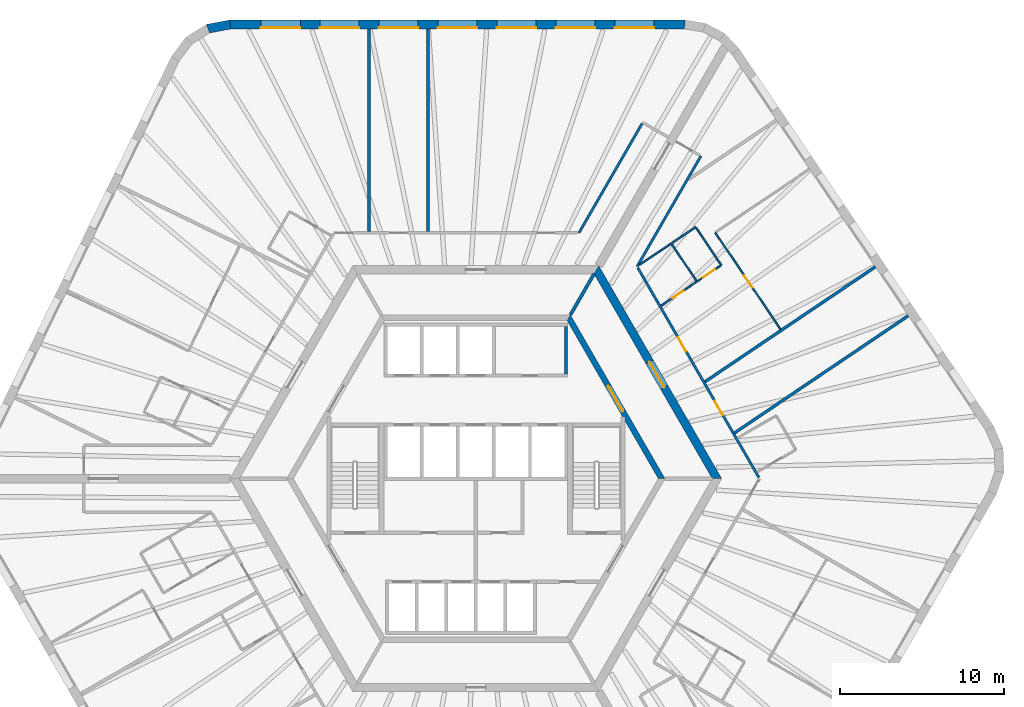
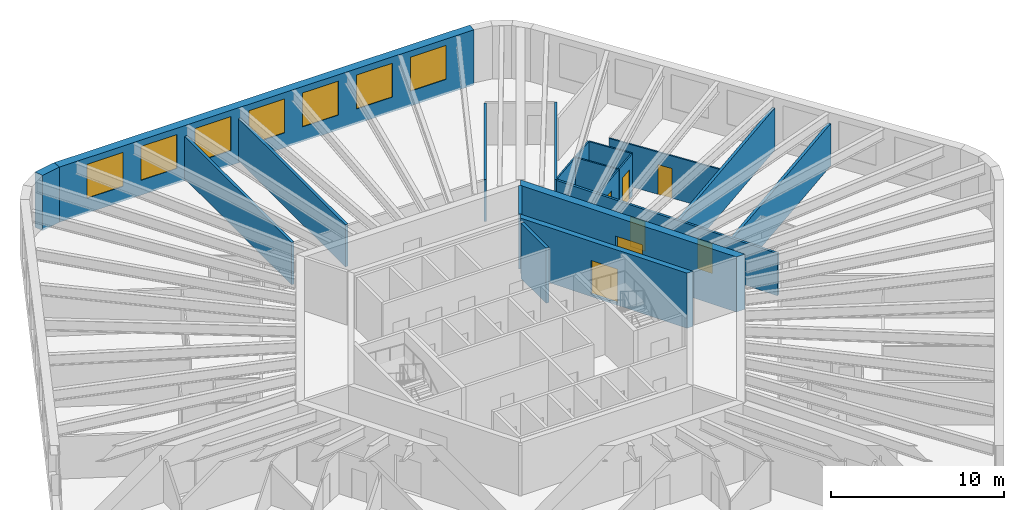
# One storey, part 8 of 10: 20 walls, 7 doors, 7 windows, 14 openings.
"""IFC4 building model written with IfcOpenShell, lengths in metres."""

from ifc_helpers import new_model, si_unit, direction, frame, frame_2d, origin, place, context, subcontext, project, spatial, polyline, rectangle, outline, extrude, material, layer, layer_set, type_object, element, fill, save


model = new_model("IFC4")

# Units and contexts
model_context = context("Model", 3, precision=1e-05, world=origin(), true_north=direction((0.0, 1.0)))
body_context = subcontext(model_context, "Body", "Model", "MODEL_VIEW")
ifc_project = project(units=[si_unit("LENGTHUNIT", "METRE"), si_unit("AREAUNIT", "SQUARE_METRE"), si_unit("VOLUMEUNIT", "CUBIC_METRE"), si_unit("PLANEANGLEUNIT", "RADIAN"), si_unit("MASSUNIT", "GRAM", prefix="KILO")], contexts=[model_context])

# Site, building, storey
site_placement = place(None, origin())
site = spatial("IfcSite", under=ifc_project, at=site_placement, CompositionType="ELEMENT")
building_placement = place(site_placement, origin())
building = spatial("IfcBuilding", under=site, at=building_placement, Name="Tarnside Tower", CompositionType="ELEMENT")
storey_placement = place(building_placement, frame((0.0, 0.0, 172.199951171875)))
storey = spatial("IfcBuildingStorey", under=building, at=storey_placement, Name="L40", CompositionType="ELEMENT", Elevation=172.199951171875)

# Wall
ifc_material_1 = material(Name="Gypsum board partition on steel studs", Category="steel")
ifc_layer_1 = layer(ifc_material_1, 0.10009765625)
ifc_layer_set_1 = layer_set([ifc_layer_1], Name="Bathroom wall 100")
wall_type_1 = type_object("IfcWallType", Name="Bathroom wall 100", PredefinedType="PARTITIONING", material=ifc_layer_set_1)
wall_1_placement = place(storey_placement, frame((9.985595703125, 13.045654296875, 0.0), z_axis=(0.0, 0.0, 1.0), x_axis=(0.829041811541, 0.559186618865, 0.0)))
element("IfcWall", 1, at=wall_1_placement, inside=storey, type_object=wall_type_1, Name="Bathroom wall 12105", PredefinedType="PARTITIONING", context=body_context, shape_type="SweptSolid", body=[
    extrude(rectangle(XDim=2.343994140625, YDim=0.10009765625, at=frame_2d((1.171875, 0.0))), origin(), (0.0, 0.0, 1.0), 2.98779296875),
])

# Wall, opening, door
wall_2_placement = place(storey_placement, frame((13.49462890625, 12.03515625, 0.0), z_axis=(0.0, 0.0, 1.0), x_axis=(-0.829031183816, -0.55920237505, 0.0)))
wall_2 = element("IfcWall", 2, at=wall_2_placement, inside=storey, type_object=wall_type_1, Name="Bathroom wall 12106", PredefinedType="PARTITIONING", context=body_context, shape_type="SweptSolid", body=[
    extrude(rectangle(XDim=2.6357421875, YDim=0.10009765625, at=frame_2d((1.31787109375, 0.0))), origin(), (0.0, 0.0, 1.0), 2.98779296875),
])
opening_1_placement = place(wall_2_placement, frame((1.0, 0.0, 0.0)))
opening_1 = element("IfcOpeningElement", 3, at=opening_1_placement, cuts=wall_2, Name="Opening D-B1", PredefinedType="OPENING", context=body_context, shape_type="SweptSolid", body=[
    extrude(rectangle(XDim=0.800048828125, YDim=2.10009765625, at=frame_2d((0.39990234375, 1.050048828125))), frame((0.0, 0.06005859375, 0.0), z_axis=(0.0, -1.0, 0.0), x_axis=(1.0, 0.0, 0.0)), (0.0, 0.0, 1.0), 0.1201171875),
])
ifc_material_2 = material(Name="Timber door leaf", Category="wood")
door_type_1 = type_object("IfcDoorType", Name="Bathroom door 800", OperationType="NOTDEFINED", PredefinedType="DOOR", material=ifc_material_2)
door_1_placement = place(opening_1_placement, origin())
door_1 = element("IfcDoor", 4, at=door_1_placement, inside=storey, type_object=door_type_1, Name="Bathroom door 12032", OperationType="SINGLE_SWING_LEFT", OverallHeight=2.10009765625, OverallWidth=0.800048828125, PredefinedType="DOOR", context=body_context, shape_type="SweptSolid", body=[
    extrude(rectangle(XDim=0.800048828125, YDim=2.10009765625, at=frame_2d((0.39990234375, 1.050048828125))), frame((0.0, 0.02490234375, 0.0), z_axis=(0.0, -1.0, 0.0), x_axis=(1.0, 0.0, 0.0)), (0.0, 0.0, 1.0), 0.050048828125),
])
fill(opening_1, door_1)

# Wall
wall_3_placement = place(storey_placement, frame((13.466796875, 12.07666015625, 0.0), z_axis=(0.0, 0.0, 1.0), x_axis=(-0.559261631576, 0.828991210718, 0.0)))
element("IfcWall", 5, at=wall_3_placement, inside=storey, type_object=wall_type_1, Name="Bathroom wall 12113", PredefinedType="PARTITIONING", context=body_context, shape_type="SweptSolid", body=[
    extrude(rectangle(XDim=2.699951171875, YDim=0.10009765625, at=frame_2d((1.35009765625, 0.0))), origin(), (0.0, 0.0, 1.0), 2.98779296875),
])

# Wall, opening, door
ifc_material_3 = material(Name="Concrete C50/60", Category="concrete")
ifc_layer_2 = layer(ifc_material_3, 0.35009765625)
ifc_layer_set_2 = layer_set([ifc_layer_2], Name="Core block wall 350 C50/60")
wall_type_2 = type_object("IfcWallType", Name="Core block wall 350 C50/60", PredefinedType="SHEAR", material=ifc_layer_set_2)
wall_4_placement = place(storey_placement, frame((11.344970703125, 0.0, -0.14990234375), z_axis=(0.0, 0.0, 1.0), x_axis=(-0.499995046907, 0.866028263435, 0.0)))
wall_4 = element("IfcWall", 6, at=wall_4_placement, inside=storey, type_object=wall_type_2, Name="L40 core block wall face 6", PredefinedType="SHEAR", context=body_context, shape_type="SweptSolid", body=[
    extrude(outline(polyline([(-0.10107421875, -0.175048828125), (11.44580078125, -0.175048828125), (11.24365234375, 0.175048828125), (0.10107421875, 0.175048828125), (-0.10107421875, -0.175048828125)])), origin(), (0.0, 0.0, 1.0), 3.89990234375),
])
opening_2_placement = place(wall_4_placement, frame((4.74365234375, 0.0, 0.14990234375)))
opening_2 = element("IfcOpeningElement", 7, at=opening_2_placement, cuts=wall_4, Name="Opening CD-LOB", PredefinedType="OPENING", context=body_context, shape_type="SweptSolid", body=[
    extrude(rectangle(XDim=1.800048828125, YDim=2.39990234375, at=frame_2d((0.89990234375, 1.199951171875))), frame((0.0, 0.18505859375, 0.0), z_axis=(0.0, -1.0, 0.0), x_axis=(1.0, 0.0, 0.0)), (0.0, 0.0, 1.0), 0.3701171875),
])
ifc_material_4 = material(Name="Steel fire door", Category="steel")
door_type_2 = type_object("IfcDoorType", Name="Lobby double door FD30S 1800x2400", OperationType="NOTDEFINED", PredefinedType="DOOR", material=ifc_material_4)
door_2_placement = place(opening_2_placement, origin())
door_2 = element("IfcDoor", 8, at=door_2_placement, inside=storey, type_object=door_type_2, Name="L40 lobby block door P2", OperationType="DOUBLE_DOOR_SINGLE_SWING", OverallHeight=2.39990234375, OverallWidth=1.800048828125, PredefinedType="DOOR", context=body_context, shape_type="SweptSolid", body=[
    extrude(rectangle(XDim=1.800048828125, YDim=2.39990234375, at=frame_2d((0.89990234375, 1.199951171875))), frame((0.0, 0.02490234375, 0.0), z_axis=(0.0, -1.0, 0.0), x_axis=(1.0, 0.0, 0.0)), (0.0, 0.0, 1.0), 0.050048828125),
])
fill(opening_2, door_2)

ifc_material_5 = material(Name="Concrete C70/85", Category="concrete")
ifc_layer_3 = layer(ifc_material_5, 0.5)
ifc_layer_set_3 = layer_set([ifc_layer_3], Name="Core wall Z2 500 C70/85")
wall_type_3 = type_object("IfcWallType", Name="Core wall Z2 500 C70/85", PredefinedType="SHEAR", material=ifc_layer_set_3)
wall_5_placement = place(storey_placement, frame((14.722412109375, 0.0, -0.14990234375), z_axis=(0.0, 0.0, 1.0), x_axis=(-0.50000571537, 0.866022103989, 0.0)))
wall_5 = element("IfcWall", 9, at=wall_5_placement, inside=storey, type_object=wall_type_3, Name="L40 core wall face 6", PredefinedType="SHEAR", context=body_context, shape_type="SweptSolid", body=[
    extrude(outline(polyline([(-0.144287109375, -0.25), (14.86669921875, -0.25), (14.578125, 0.25), (0.144287109375, 0.25), (-0.144287109375, -0.25)])), origin(), (0.0, 0.0, 1.0), 3.89990234375),
])
opening_3_placement = place(wall_5_placement, frame((6.432373046875, 0.0, 0.14990234375)))
opening_3 = element("IfcOpeningElement", 10, at=opening_3_placement, cuts=wall_5, Name="Opening CD-LOB", PredefinedType="OPENING", context=body_context, shape_type="SweptSolid", body=[
    extrude(rectangle(XDim=1.800048828125, YDim=2.39990234375, at=frame_2d((0.89990234375, 1.199951171875))), frame((0.0, 0.260009765625, 0.0), z_axis=(0.0, -1.0, 0.0), x_axis=(1.0, 0.0, 0.0)), (0.0, 0.0, 1.0), 0.52001953125),
])
door_3_placement = place(opening_3_placement, origin())
door_3 = element("IfcDoor", 11, at=door_3_placement, inside=storey, type_object=door_type_2, Name="L40 core door P2", OperationType="DOUBLE_DOOR_SINGLE_SWING", OverallHeight=2.39990234375, OverallWidth=1.800048828125, PredefinedType="DOOR", context=body_context, shape_type="SweptSolid", body=[
    extrude(rectangle(XDim=1.800048828125, YDim=2.39990234375, at=frame_2d((0.89990234375, 1.199951171875))), frame((0.0, 0.02490234375, 0.0), z_axis=(0.0, -1.0, 0.0), x_axis=(1.0, 0.0, 0.0)), (0.0, 0.0, 1.0), 0.050048828125),
])
fill(opening_3, door_3)

# Wall
ifc_layer_4 = layer(ifc_material_1, 0.14990234375)
ifc_layer_set_4 = layer_set([ifc_layer_4], Name="Corridor wall 150 EI 60")
wall_type_4 = type_object("IfcWallType", Name="Corridor wall 150 EI 60", PredefinedType="PARTITIONING", material=ifc_layer_set_4)
wall_6_placement = place(storey_placement, frame((10.148681640625, 21.677978515625, 0.0), z_axis=(0.0, 0.0, 1.0), x_axis=(-0.499993780622, -0.866028994514, 0.0)))
element("IfcWall", 12, at=wall_6_placement, inside=storey, type_object=wall_type_4, Name="Corridor wall 12002", PredefinedType="PARTITIONING", context=body_context, shape_type="SweptSolid", body=[
    extrude(rectangle(XDim=7.7109375, YDim=0.14990234375, at=frame_2d((3.85546875, 0.0))), origin(), (0.0, 0.0, 1.0), 2.98779296875),
])

# Wall, openings, doors
wall_7_placement = place(storey_placement, frame((17.277099609375, 0.074951171875, 0.0), z_axis=(0.0, 0.0, 1.0), x_axis=(-0.499988884089, 0.866031821464, 0.0)))
wall_7 = element("IfcWall", 13, at=wall_7_placement, inside=storey, type_object=wall_type_4, Name="Corridor wall 12035", PredefinedType="PARTITIONING", context=body_context, shape_type="SweptSolid", body=[
    extrude(rectangle(XDim=14.780029296875, YDim=0.14990234375, at=frame_2d((7.39013671875, 0.0))), origin(), (0.0, 0.0, 1.0), 2.98779296875),
])
opening_4_placement = place(wall_7_placement, frame((4.39306640625, 0.0, 0.0)))
opening_4 = element("IfcOpeningElement", 14, at=opening_4_placement, cuts=wall_7, Name="Opening D-E1", PredefinedType="OPENING", context=body_context, shape_type="SweptSolid", body=[
    extrude(rectangle(XDim=1.0, YDim=2.10009765625, at=frame_2d((0.5, 1.050048828125))), frame((0.0, 0.0849609375, 0.0), z_axis=(0.0, -1.0, 0.0), x_axis=(1.0, 0.0, 0.0)), (0.0, 0.0, 1.0), 0.169921875),
])
opening_5_placement = place(wall_7_placement, frame((8.885498046875, 0.0, 0.0)))
opening_5 = element("IfcOpeningElement", 15, at=opening_5_placement, cuts=wall_7, Name="Opening D-E1", PredefinedType="OPENING", context=body_context, shape_type="SweptSolid", body=[
    extrude(rectangle(XDim=1.0, YDim=2.10009765625, at=frame_2d((0.5, 1.050048828125))), frame((0.0, 0.0849609375, 0.0), z_axis=(0.0, -1.0, 0.0), x_axis=(1.0, 0.0, 0.0)), (0.0, 0.0, 1.0), 0.169921875),
])
door_type_3 = type_object("IfcDoorType", Name="Unit entrance door 1000 FD30S", OperationType="NOTDEFINED", PredefinedType="DOOR", material=ifc_material_2)
door_4_placement = place(opening_4_placement, origin())
door_4 = element("IfcDoor", 16, at=door_4_placement, inside=storey, type_object=door_type_3, Name="Unit door 12030", OperationType="SINGLE_SWING_LEFT", OverallHeight=2.10009765625, OverallWidth=1.0, PredefinedType="DOOR", context=body_context, shape_type="SweptSolid", body=[
    extrude(rectangle(XDim=1.0, YDim=2.10009765625, at=frame_2d((0.5, 1.050048828125))), frame((0.0, 0.02490234375, 0.0), z_axis=(0.0, -1.0, 0.0), x_axis=(1.0, 0.0, 0.0)), (0.0, 0.0, 1.0), 0.050048828125),
])
fill(opening_4, door_4)
door_5_placement = place(opening_5_placement, origin())
door_5 = element("IfcDoor", 17, at=door_5_placement, inside=storey, type_object=door_type_3, Name="Unit door 12031", OperationType="SINGLE_SWING_RIGHT", OverallHeight=2.10009765625, OverallWidth=1.0, PredefinedType="DOOR", context=body_context, shape_type="SweptSolid", body=[
    extrude(rectangle(XDim=1.0, YDim=2.10009765625, at=frame_2d((0.5, 1.050048828125))), frame((0.0, 0.02490234375, 0.0), z_axis=(0.0, -1.0, 0.0), x_axis=(1.0, 0.0, 0.0)), (0.0, 0.0, 1.0), 0.050048828125),
])
fill(opening_5, door_5)

# Walls
wall_8_placement = place(storey_placement, frame((9.84375, 12.949951171875, 0.0), z_axis=(0.0, 0.0, 1.0), x_axis=(0.500003831281, 0.866023191782, 0.0)))
element("IfcWall", 18, at=wall_8_placement, inside=storey, type_object=wall_type_4, Name="Corridor wall 12040", PredefinedType="PARTITIONING", context=body_context, shape_type="SweptSolid", body=[
    extrude(rectangle(XDim=7.7861328125, YDim=0.14990234375, at=frame_2d((3.89306640625, 0.0))), origin(), (0.0, 0.0, 1.0), 2.98779296875),
])
ifc_layer_5 = layer(ifc_material_1, 0.179931640625)
ifc_layer_set_5 = layer_set([ifc_layer_5], Name="Demising wall 180 EI 60")
wall_type_5 = type_object("IfcWallType", Name="Demising wall 180 EI 60", PredefinedType="PARTITIONING", material=ifc_layer_set_5)
for number, where, z_axis, x_axis, name in (
    (19, (-2.91796875, 27.449951171875, 0.0), (0.0, 0.0, 1.0), (0.0, -1.0, 0.0), "Demising wall 12045"),
    (20, (-6.517822265625, 27.449951171875, 0.0), (0.0, 0.0, 1.0), (0.0, -1.0, 0.0), "Demising wall 12046"),
):
    element("IfcWall", number, at=place(storey_placement, frame(where, z_axis=z_axis, x_axis=x_axis)), inside=storey, type_object=wall_type_5, Name=name, PredefinedType="PARTITIONING", context=body_context, shape_type="SweptSolid", body=[
        extrude(rectangle(XDim=12.375, YDim=0.179931640625, at=frame_2d((6.1875, 0.0))), origin(), (0.0, 0.0, 1.0), 2.98779296875),
    ])
wall_9_placement = place(storey_placement, frame((26.40185546875, 9.9462890625, 0.0), z_axis=(0.0, 0.0, 1.0), x_axis=(-0.829037771727, -0.559192608187, 0.0)))
element("IfcWall", 21, at=wall_9_placement, inside=storey, type_object=wall_type_5, Name="Demising wall 12102", PredefinedType="PARTITIONING", context=body_context, shape_type="SweptSolid", body=[
    extrude(rectangle(XDim=12.7939453125, YDim=0.179931640625, at=frame_2d((6.39697265625, 0.0))), origin(), (0.0, 0.0, 1.0), 2.98779296875),
])
wall_10_placement = place(storey_placement, frame((24.388671875, 12.9306640625, 0.0), z_axis=(0.0, 0.0, 1.0), x_axis=(-0.829040439793, -0.559188652593, 0.0)))
element("IfcWall", 22, at=wall_10_placement, inside=storey, type_object=wall_type_5, Name="Demising wall 12103", PredefinedType="PARTITIONING", context=body_context, shape_type="SweptSolid", body=[
    extrude(rectangle(XDim=12.542236328125, YDim=0.179931640625, at=frame_2d((6.27099609375, 0.0))), origin(), (0.0, 0.0, 1.0), 2.98779296875),
])
ifc_material_6 = material(Name="Concrete C40/50", Category="concrete")
ifc_layer_6 = layer(ifc_material_6, 0.199951171875)
ifc_layer_set_6 = layer_set([ifc_layer_6], Name="Lift shaft wall 200 C40/50")
wall_type_6 = type_object("IfcWallType", Name="Lift shaft wall 200 C40/50", PredefinedType="SHEAR", material=ifc_layer_set_6)
wall_11_placement = place(storey_placement, frame((5.5, 6.39990234375, -0.25), z_axis=(0.0, 0.0, 1.0), x_axis=(0.0, 1.0, 0.0)))
element("IfcWall", 23, at=wall_11_placement, inside=storey, type_object=wall_type_6, Name="L40 lift shaft partition R16", PredefinedType="SHEAR", context=body_context, shape_type="SweptSolid", body=[
    extrude(rectangle(XDim=2.900146484375, YDim=0.199951171875, at=frame_2d((1.4501953125, 0.0))), origin(), (0.0, 0.0, 1.0), 3.900146484375),
])
wall_12_placement = place(storey_placement, frame((5.7734375, 10.0, -0.14990234375), z_axis=(0.0, 0.0, 1.0), x_axis=(0.499995765644, 0.866027848477, 0.0)))
element("IfcWall", 24, at=wall_12_placement, inside=storey, type_object=wall_type_6, Name="L40 core partition AR60", PredefinedType="SHEAR", context=body_context, shape_type="SweptSolid", body=[
    extrude(rectangle(XDim=2.88671875, YDim=0.199951171875, at=frame_2d((1.443359375, 0.0))), origin(), (0.0, 0.0, 1.0), 3.89990234375),
])
ifc_layer_7 = layer(ifc_material_1, 0.10009765625)
ifc_layer_set_7 = layer_set([ifc_layer_7], Name="Partition 100")
wall_type_7 = type_object("IfcWallType", Name="Partition 100", PredefinedType="PARTITIONING", material=ifc_layer_set_7)
wall_13_placement = place(storey_placement, frame((11.970458984375, 14.38427734375, 0.0), z_axis=(0.0, 0.0, 1.0), x_axis=(0.828968337787, 0.559295534532, 0.0)))
element("IfcWall", 25, at=wall_13_placement, inside=storey, type_object=wall_type_7, Name="Partition wall 12107", PredefinedType="PARTITIONING", context=body_context, shape_type="SweptSolid", body=[
    extrude(rectangle(XDim=1.75, YDim=0.10009765625, at=frame_2d((0.875, 0.0))), origin(), (0.0, 0.0, 1.0), 2.98779296875),
])
wall_14_placement = place(storey_placement, frame((13.44921875, 15.321533203125, 0.0), z_axis=(0.0, 0.0, 1.0), x_axis=(0.559158698756, -0.8290606429, 0.0)))
element("IfcWall", 26, at=wall_14_placement, inside=storey, type_object=wall_type_7, Name="Partition wall 12108", PredefinedType="PARTITIONING", context=body_context, shape_type="SweptSolid", body=[
    extrude(rectangle(XDim=2.749755859375, YDim=0.10009765625, at=frame_2d((1.375, 0.0))), origin(), (0.0, 0.0, 1.0), 2.98779296875),
])

# Wall, opening, door
wall_15_placement = place(storey_placement, frame((14.945556640625, 13.013671875, 0.0), z_axis=(0.0, 0.0, 1.0), x_axis=(-0.829033422808, -0.559199055675, 0.0)))
wall_15 = element("IfcWall", 27, at=wall_15_placement, inside=storey, type_object=wall_type_7, Name="Partition wall 12109", PredefinedType="PARTITIONING", context=body_context, shape_type="SweptSolid", body=[
    extrude(rectangle(XDim=1.7001953125, YDim=0.10009765625, at=frame_2d((0.85009765625, 0.0))), origin(), (0.0, 0.0, 1.0), 2.98779296875),
])
opening_6_placement = place(wall_15_placement, frame((0.39990234375, 0.0, 0.0)))
opening_6 = element("IfcOpeningElement", 28, at=opening_6_placement, cuts=wall_15, Name="Opening D-I1", PredefinedType="OPENING", context=body_context, shape_type="SweptSolid", body=[
    extrude(rectangle(XDim=0.89990234375, YDim=2.10009765625, at=frame_2d((0.449951171875, 1.050048828125))), frame((0.0, 0.06005859375, 0.0), z_axis=(0.0, -1.0, 0.0), x_axis=(1.0, 0.0, 0.0)), (0.0, 0.0, 1.0), 0.1201171875),
])
door_type_4 = type_object("IfcDoorType", Name="Internal door 900", OperationType="NOTDEFINED", PredefinedType="DOOR", material=ifc_material_2)
door_6_placement = place(opening_6_placement, origin())
door_6 = element("IfcDoor", 29, at=door_6_placement, inside=storey, type_object=door_type_4, Name="Internal door 12033", OperationType="SINGLE_SWING_RIGHT", OverallHeight=2.10009765625, OverallWidth=0.89990234375, PredefinedType="DOOR", context=body_context, shape_type="SweptSolid", body=[
    extrude(rectangle(XDim=0.89990234375, YDim=2.10009765625, at=frame_2d((0.449951171875, 1.050048828125))), frame((0.0, 0.02490234375, 0.0), z_axis=(0.0, -1.0, 0.0), x_axis=(1.0, 0.0, 0.0)), (0.0, 0.0, 1.0), 0.050048828125),
])
fill(opening_6, door_6)

wall_16_placement = place(storey_placement, frame((18.591064453125, 9.128662109375, 0.0), z_axis=(0.0, 0.0, 1.0), x_axis=(-0.559185029686, 0.829042883435, 0.0)))
wall_16 = element("IfcWall", 30, at=wall_16_placement, inside=storey, type_object=wall_type_7, Name="Partition wall 12110", PredefinedType="PARTITIONING", context=body_context, shape_type="SweptSolid", body=[
    extrude(rectangle(XDim=7.110107421875, YDim=0.10009765625, at=frame_2d((3.55517578125, 0.0))), origin(), (0.0, 0.0, 1.0), 2.98779296875),
])
opening_7_placement = place(wall_16_placement, frame((3.06005859375, 0.0, 0.0)))
opening_7 = element("IfcOpeningElement", 31, at=opening_7_placement, cuts=wall_16, Name="Opening D-I1", PredefinedType="OPENING", context=body_context, shape_type="SweptSolid", body=[
    extrude(rectangle(XDim=0.89990234375, YDim=2.10009765625, at=frame_2d((0.449951171875, 1.050048828125))), frame((0.0, 0.06005859375, 0.0), z_axis=(0.0, -1.0, 0.0), x_axis=(1.0, 0.0, 0.0)), (0.0, 0.0, 1.0), 0.1201171875),
])
door_7_placement = place(opening_7_placement, origin())
door_7 = element("IfcDoor", 32, at=door_7_placement, inside=storey, type_object=door_type_4, Name="Internal door 12034", OperationType="SINGLE_SWING_RIGHT", OverallHeight=2.10009765625, OverallWidth=0.89990234375, PredefinedType="DOOR", context=body_context, shape_type="SweptSolid", body=[
    extrude(rectangle(XDim=0.89990234375, YDim=2.10009765625, at=frame_2d((0.449951171875, 1.050048828125))), frame((0.0, 0.02490234375, 0.0), z_axis=(0.0, -1.0, 0.0), x_axis=(1.0, 0.0, 0.0)), (0.0, 0.0, 1.0), 0.050048828125),
])
fill(opening_7, door_7)

# Wall, openings, windows
ifc_material_7 = material(Name="Facing brick", Category="masonry")
ifc_layer_8 = layer(ifc_material_7, 0.10205078125)
ifc_material_8 = material(Name="Concrete C60/75 precast", Category="concrete")
ifc_layer_9 = layer(ifc_material_8, 0.347900390625)
ifc_material_9 = material(Name="Mineral wool insulation")
ifc_layer_10 = layer(ifc_material_9, 0.10009765625)
ifc_layer_set_8 = layer_set([ifc_layer_8, ifc_layer_9, ifc_layer_10], Name="Tube wall 550 brick faced")
wall_type_8 = type_object("IfcWallType", Name="Tube wall 550 brick faced", PredefinedType="SOLIDWALL", material=ifc_layer_set_8)
wall_17_placement = place(storey_placement, frame((12.760986328125, 27.72509765625, -0.14990234375), z_axis=(0.0, 0.0, 1.0), x_axis=(-1.0, 0.0, 0.0)))
wall_17 = element("IfcWall", 33, at=wall_17_placement, inside=storey, type_object=wall_type_8, Name="Tube wall L40 F1 flush 00", PredefinedType="SOLIDWALL", context=body_context, shape_type="SweptSolid", body=[
    extrude(outline(polyline([(-0.0224609375, -0.27490234375), (27.783447265625, -0.27490234375), (27.732177734375, 0.27490234375), (0.0224609375, 0.27490234375), (-0.0224609375, -0.27490234375)])), origin(), (0.0, 0.0, 1.0), 3.89990234375),
])
opening_8_placement = place(wall_17_placement, frame((1.87890625, 0.0, 1.050048828125)))
opening_8 = element("IfcOpeningElement", 34, at=opening_8_placement, cuts=wall_17, Name="Opening WH", PredefinedType="OPENING", context=body_context, shape_type="SweptSolid", body=[
    extrude(rectangle(XDim=2.39990234375, YDim=2.39990234375, at=frame_2d((1.199951171875, 1.199951171875))), frame((0.0, 0.28515625, 0.0), z_axis=(0.0, -1.0, 0.0), x_axis=(1.0, 0.0, 0.0)), (0.0, 0.0, 1.0), 0.570068359375),
])
opening_9_placement = place(wall_17_placement, frame((5.47900390625, 0.0, 1.050048828125)))
opening_9 = element("IfcOpeningElement", 35, at=opening_9_placement, cuts=wall_17, Name="Opening WH", PredefinedType="OPENING", context=body_context, shape_type="SweptSolid", body=[
    extrude(rectangle(XDim=2.39990234375, YDim=2.39990234375, at=frame_2d((1.199951171875, 1.199951171875))), frame((0.0, 0.28515625, 0.0), z_axis=(0.0, -1.0, 0.0), x_axis=(1.0, 0.0, 0.0)), (0.0, 0.0, 1.0), 0.570068359375),
])
opening_10_placement = place(wall_17_placement, frame((9.078857421875, 0.0, 1.050048828125)))
opening_10 = element("IfcOpeningElement", 36, at=opening_10_placement, cuts=wall_17, Name="Opening WH", PredefinedType="OPENING", context=body_context, shape_type="SweptSolid", body=[
    extrude(rectangle(XDim=2.39990234375, YDim=2.39990234375, at=frame_2d((1.199951171875, 1.199951171875))), frame((0.0, 0.28515625, 0.0), z_axis=(0.0, -1.0, 0.0), x_axis=(1.0, 0.0, 0.0)), (0.0, 0.0, 1.0), 0.570068359375),
])
opening_11_placement = place(wall_17_placement, frame((12.678955078125, 0.0, 1.050048828125)))
opening_11 = element("IfcOpeningElement", 37, at=opening_11_placement, cuts=wall_17, Name="Opening WH", PredefinedType="OPENING", context=body_context, shape_type="SweptSolid", body=[
    extrude(rectangle(XDim=2.39990234375, YDim=2.39990234375, at=frame_2d((1.199951171875, 1.199951171875))), frame((0.0, 0.28515625, 0.0), z_axis=(0.0, -1.0, 0.0), x_axis=(1.0, 0.0, 0.0)), (0.0, 0.0, 1.0), 0.570068359375),
])
opening_12_placement = place(wall_17_placement, frame((16.27880859375, 0.0, 1.050048828125)))
opening_12 = element("IfcOpeningElement", 38, at=opening_12_placement, cuts=wall_17, Name="Opening WH", PredefinedType="OPENING", context=body_context, shape_type="SweptSolid", body=[
    extrude(rectangle(XDim=2.39990234375, YDim=2.39990234375, at=frame_2d((1.199951171875, 1.199951171875))), frame((0.0, 0.28515625, 0.0), z_axis=(0.0, -1.0, 0.0), x_axis=(1.0, 0.0, 0.0)), (0.0, 0.0, 1.0), 0.570068359375),
])
opening_13_placement = place(wall_17_placement, frame((19.87890625, 0.0, 1.050048828125)))
opening_13 = element("IfcOpeningElement", 39, at=opening_13_placement, cuts=wall_17, Name="Opening WH", PredefinedType="OPENING", context=body_context, shape_type="SweptSolid", body=[
    extrude(rectangle(XDim=2.39990234375, YDim=2.39990234375, at=frame_2d((1.199951171875, 1.199951171875))), frame((0.0, 0.28515625, 0.0), z_axis=(0.0, -1.0, 0.0), x_axis=(1.0, 0.0, 0.0)), (0.0, 0.0, 1.0), 0.570068359375),
])
opening_14_placement = place(wall_17_placement, frame((23.47900390625, 0.0, 1.050048828125)))
opening_14 = element("IfcOpeningElement", 40, at=opening_14_placement, cuts=wall_17, Name="Opening WH", PredefinedType="OPENING", context=body_context, shape_type="SweptSolid", body=[
    extrude(rectangle(XDim=2.39990234375, YDim=2.39990234375, at=frame_2d((1.199951171875, 1.199951171875))), frame((0.0, 0.28515625, 0.0), z_axis=(0.0, -1.0, 0.0), x_axis=(1.0, 0.0, 0.0)), (0.0, 0.0, 1.0), 0.570068359375),
])
ifc_material_10 = material(Name="Aluminium-framed double glazing", Category="aluminium")
window_type = type_object("IfcWindowType", Name="Hotel window 2400 x 2400", PartitioningType="DOUBLE_PANEL_VERTICAL", PredefinedType="WINDOW", material=ifc_material_10)
window_1_placement = place(opening_8_placement, frame((0.0, 0.205078125, 0.0)))
window_1 = element("IfcWindow", 41, at=window_1_placement, inside=storey, type_object=window_type, Name="E.WN.L40.F1.00", OverallHeight=2.39990234375, OverallWidth=2.39990234375, PartitioningType="DOUBLE_PANEL_VERTICAL", PredefinedType="WINDOW", context=body_context, shape_type="SweptSolid", body=[
    extrude(rectangle(XDim=2.39990234375, YDim=2.39990234375, at=frame_2d((1.199951171875, 1.199951171875))), frame((0.0, 0.030029296875, 0.0), z_axis=(0.0, -1.0, 0.0), x_axis=(1.0, 0.0, 0.0)), (0.0, 0.0, 1.0), 0.06005859375),
])
fill(opening_8, window_1)
window_2_placement = place(opening_9_placement, frame((0.0, 0.205078125, 0.0)))
window_2 = element("IfcWindow", 42, at=window_2_placement, inside=storey, type_object=window_type, Name="E.WN.L40.F1.01", OverallHeight=2.39990234375, OverallWidth=2.39990234375, PartitioningType="DOUBLE_PANEL_VERTICAL", PredefinedType="WINDOW", context=body_context, shape_type="SweptSolid", body=[
    extrude(rectangle(XDim=2.39990234375, YDim=2.39990234375, at=frame_2d((1.199951171875, 1.199951171875))), frame((0.0, 0.030029296875, 0.0), z_axis=(0.0, -1.0, 0.0), x_axis=(1.0, 0.0, 0.0)), (0.0, 0.0, 1.0), 0.06005859375),
])
fill(opening_9, window_2)
window_3_placement = place(opening_10_placement, frame((0.0, 0.205078125, 0.0)))
window_3 = element("IfcWindow", 43, at=window_3_placement, inside=storey, type_object=window_type, Name="E.WN.L40.F1.02", OverallHeight=2.39990234375, OverallWidth=2.39990234375, PartitioningType="DOUBLE_PANEL_VERTICAL", PredefinedType="WINDOW", context=body_context, shape_type="SweptSolid", body=[
    extrude(rectangle(XDim=2.39990234375, YDim=2.39990234375, at=frame_2d((1.199951171875, 1.199951171875))), frame((0.0, 0.030029296875, 0.0), z_axis=(0.0, -1.0, 0.0), x_axis=(1.0, 0.0, 0.0)), (0.0, 0.0, 1.0), 0.06005859375),
])
fill(opening_10, window_3)
window_4_placement = place(opening_11_placement, frame((0.0, 0.205078125, 0.0)))
window_4 = element("IfcWindow", 44, at=window_4_placement, inside=storey, type_object=window_type, Name="E.WN.L40.F1.03", OverallHeight=2.39990234375, OverallWidth=2.39990234375, PartitioningType="DOUBLE_PANEL_VERTICAL", PredefinedType="WINDOW", context=body_context, shape_type="SweptSolid", body=[
    extrude(rectangle(XDim=2.39990234375, YDim=2.39990234375, at=frame_2d((1.199951171875, 1.199951171875))), frame((0.0, 0.030029296875, 0.0), z_axis=(0.0, -1.0, 0.0), x_axis=(1.0, 0.0, 0.0)), (0.0, 0.0, 1.0), 0.06005859375),
])
fill(opening_11, window_4)
window_5_placement = place(opening_12_placement, frame((0.0, 0.205078125, 0.0)))
window_5 = element("IfcWindow", 45, at=window_5_placement, inside=storey, type_object=window_type, Name="E.WN.L40.F1.04", OverallHeight=2.39990234375, OverallWidth=2.39990234375, PartitioningType="DOUBLE_PANEL_VERTICAL", PredefinedType="WINDOW", context=body_context, shape_type="SweptSolid", body=[
    extrude(rectangle(XDim=2.39990234375, YDim=2.39990234375, at=frame_2d((1.199951171875, 1.199951171875))), frame((0.0, 0.030029296875, 0.0), z_axis=(0.0, -1.0, 0.0), x_axis=(1.0, 0.0, 0.0)), (0.0, 0.0, 1.0), 0.06005859375),
])
fill(opening_12, window_5)
window_6_placement = place(opening_13_placement, frame((0.0, 0.205078125, 0.0)))
window_6 = element("IfcWindow", 46, at=window_6_placement, inside=storey, type_object=window_type, Name="E.WN.L40.F1.05", OverallHeight=2.39990234375, OverallWidth=2.39990234375, PartitioningType="DOUBLE_PANEL_VERTICAL", PredefinedType="WINDOW", context=body_context, shape_type="SweptSolid", body=[
    extrude(rectangle(XDim=2.39990234375, YDim=2.39990234375, at=frame_2d((1.199951171875, 1.199951171875))), frame((0.0, 0.030029296875, 0.0), z_axis=(0.0, -1.0, 0.0), x_axis=(1.0, 0.0, 0.0)), (0.0, 0.0, 1.0), 0.06005859375),
])
fill(opening_13, window_6)
window_7_placement = place(opening_14_placement, frame((0.0, 0.205078125, 0.0)))
window_7 = element("IfcWindow", 47, at=window_7_placement, inside=storey, type_object=window_type, Name="E.WN.L40.F1.06", OverallHeight=2.39990234375, OverallWidth=2.39990234375, PartitioningType="DOUBLE_PANEL_VERTICAL", PredefinedType="WINDOW", context=body_context, shape_type="SweptSolid", body=[
    extrude(rectangle(XDim=2.39990234375, YDim=2.39990234375, at=frame_2d((1.199951171875, 1.199951171875))), frame((0.0, 0.030029296875, 0.0), z_axis=(0.0, -1.0, 0.0), x_axis=(1.0, 0.0, 0.0)), (0.0, 0.0, 1.0), 0.06005859375),
])
fill(opening_14, window_7)

# Wall
wall_18_placement = place(storey_placement, frame((-14.996826171875, 27.72509765625, -0.14990234375), z_axis=(0.0, 0.0, 1.0), x_axis=(-0.982705443133, -0.185175624845, 0.0)))
element("IfcWall", 48, at=wall_18_placement, inside=storey, type_object=wall_type_8, Name="Tube wall L40 F1 chord 01", PredefinedType="SOLIDWALL", context=body_context, shape_type="SweptSolid", body=[
    extrude(outline(polyline([(-0.025634765625, -0.27490234375), (1.430908203125, -0.27490234375), (1.327392578125, 0.27490234375), (0.025634765625, 0.27490234375), (-0.025634765625, -0.27490234375)])), origin(), (0.0, 0.0, 1.0), 3.89990234375),
])

save(model, "model.ifc")
